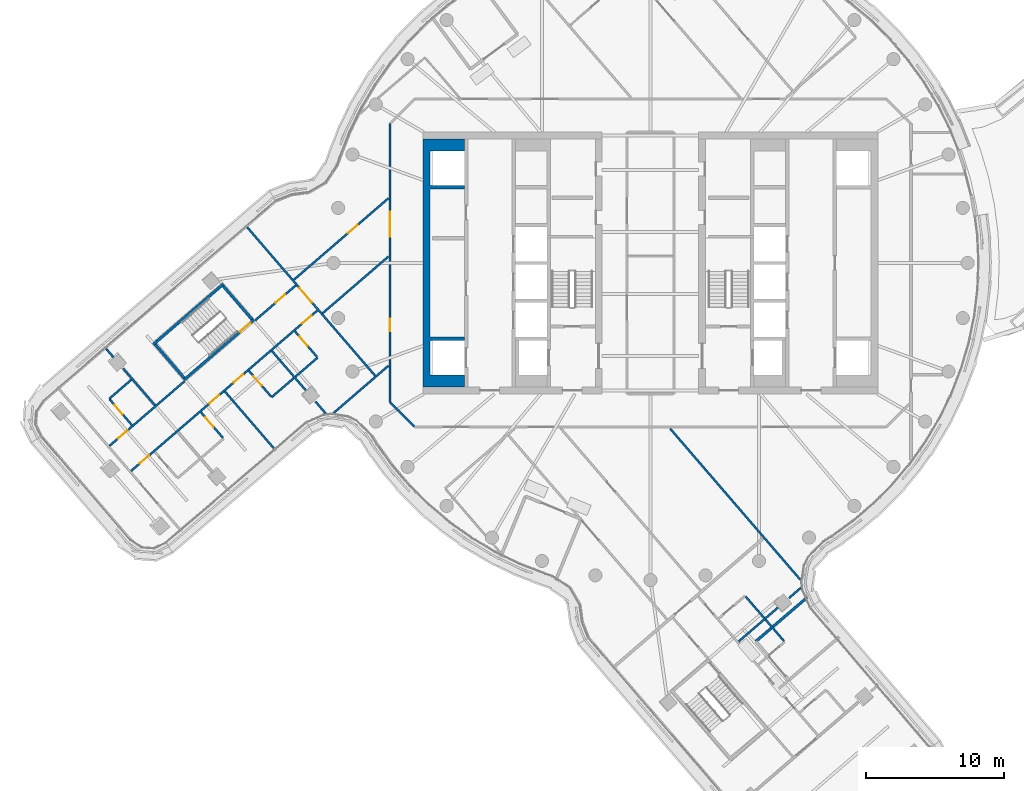
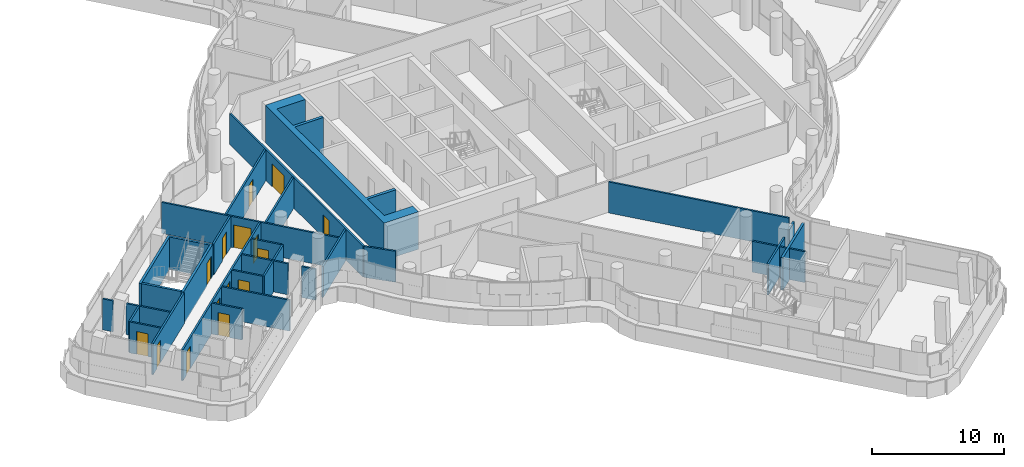
# One storey, part 22 of 34: 30 walls, 15 doors, 15 openings.
"""IFC4 building model written with IfcOpenShell, lengths in metres."""

from ifc_helpers import new_model, si_unit, direction, frame, frame_2d, origin, place, context, subcontext, project, spatial, polyline, rectangle, outline, extrude, material, layer, layer_set, type_object, element, fill, save


model = new_model("IFC4")

# Units and contexts
model_context = context("Model", 3, precision=1e-05, world=origin(), true_north=direction((0.0, 1.0)))
body_context = subcontext(model_context, "Body", "Model", "MODEL_VIEW")
ifc_project = project(units=[si_unit("LENGTHUNIT", "METRE"), si_unit("AREAUNIT", "SQUARE_METRE"), si_unit("VOLUMEUNIT", "CUBIC_METRE"), si_unit("PLANEANGLEUNIT", "RADIAN"), si_unit("MASSUNIT", "GRAM", prefix="KILO")], contexts=[model_context])

# Site, building, storey
site_placement = place(None, origin())
site = spatial("IfcSite", under=ifc_project, at=site_placement, CompositionType="ELEMENT")
building_placement = place(site_placement, origin())
building = spatial("IfcBuilding", under=site, at=building_placement, Name="Tamarind Cross Interchange Tower", CompositionType="ELEMENT")
storey_placement = place(building_placement, frame((0.0, 0.0, 182.5)))
storey = spatial("IfcBuildingStorey", under=building, at=storey_placement, Name="L45", CompositionType="ELEMENT", Elevation=182.5)

# Walls
ifc_material_1 = material(Name="Concrete C40", Category="concrete")
ifc_layer_1 = layer(ifc_material_1, 0.199951171875)
ifc_layer_set_1 = layer_set([ifc_layer_1], Name="Concrete C40")
wall_type_1 = type_object("IfcWallType", Name="Balcony and garden door wall", PredefinedType="SOLIDWALL", material=ifc_layer_set_1)
wall_1_placement = place(storey_placement, frame((7.646240234375, -27.43701171875, 0.0), z_axis=(0.0, 0.0, 1.0), x_axis=(0.759635869727, 0.650348633752, 0.0)))
element("IfcWall", 1, at=wall_1_placement, inside=storey, type_object=wall_type_1, Name="EXW-L45-WG-L45-SNa-R1", PredefinedType="SOLIDWALL", context=body_context, shape_type="SweptSolid", body=[
    extrude(rectangle(XDim=4.90576171875, YDim=0.199951171875, at=frame_2d((2.452880859375, 0.0))), origin(), (0.0, 0.0, 1.0), 3.013916015625),
])
ifc_material_2 = material(Name="Concrete C55", Category="concrete")
ifc_layer_2 = layer(ifc_material_2, 0.5)
ifc_layer_set_2 = layer_set([ifc_layer_2], Name="Concrete C55")
wall_type_2 = type_object("IfcWallType", Name="Core wall 500 mm Concrete C55", PredefinedType="SHEAR", material=ifc_layer_set_2)
wall_2_placement = place(storey_placement, origin())
element("IfcWall", 2, at=wall_2_placement, inside=storey, type_object=wall_type_2, Name="Core wall CWL-L45-W-A", PredefinedType="SHEAR", context=body_context, shape_type="SweptSolid", body=[
    extrude(outline(polyline([(-13.5, -8.125), (-16.0, -8.125), (-16.0, -5.625), (-13.5, -5.625), (-13.5, -5.375), (-16.0, -5.375), (-16.0, 5.375), (-13.5, 5.375), (-13.5, 5.625), (-16.0, 5.625), (-16.0, 8.125), (-13.5, 8.125), (-13.5, 9.0), (-16.0, 9.0), (-16.5, 9.0), (-16.5, -9.0), (-16.0, -9.0), (-13.5, -9.0), (-13.5, -8.125)])), origin(), (0.0, 0.0, 1.0), 3.4599609375),
])
ifc_material_3 = material(Name="Gypsum board partition on steel studs", Category="steel")
ifc_layer_3 = layer(ifc_material_3, 0.14990234375)
ifc_layer_set_3 = layer_set([ifc_layer_3], Name="Gypsum board partition on steel studs")
wall_type_3 = type_object("IfcWallType", Name="Partition 150 mm EI 120", PredefinedType="PARTITIONING", material=ifc_layer_set_3)
wall_3_placement = place(storey_placement, frame((-39.47900390625, -6.217041015625, 0.0), z_axis=(0.0, 0.0, 1.0), x_axis=(0.652651234918, -0.757658475541, 0.0)))
element("IfcWall", 3, at=wall_3_placement, inside=storey, type_object=wall_type_3, Name="Partition L45-002", PredefinedType="PARTITIONING", context=body_context, shape_type="SweptSolid", body=[
    extrude(rectangle(XDim=0.82080078125, YDim=0.14990234375, at=frame_2d((0.410400390625, 0.0))), origin(), (0.0, 0.0, 1.0), 2.864013671875),
])
wall_4_placement = place(storey_placement, frame((-38.247802734375, -7.64599609375, 0.0), z_axis=(0.0, 0.0, 1.0), x_axis=(0.652741368874, -0.757580824309, 0.0)))
element("IfcWall", 4, at=wall_4_placement, inside=storey, type_object=wall_type_3, Name="Partition L45-003", PredefinedType="PARTITIONING", context=body_context, shape_type="SweptSolid", body=[
    extrude(rectangle(XDim=3.53271484375, YDim=0.14990234375, at=frame_2d((1.766357421875, 0.0))), origin(), (0.0, 0.0, 1.0), 2.864013671875),
])

# Wall, opening, door
wall_5_placement = place(storey_placement, frame((-39.226806640625, -9.87939453125, 0.0), z_axis=(0.0, 0.0, 1.0), x_axis=(0.652686423647, -0.757628162351, 0.0)))
wall_5 = element("IfcWall", 5, at=wall_5_placement, inside=storey, type_object=wall_type_3, Name="Partition L45-006", PredefinedType="PARTITIONING", context=body_context, shape_type="SweptSolid", body=[
    extrude(rectangle(XDim=2.47998046875, YDim=0.14990234375, at=frame_2d((1.239990234375, 0.0))), origin(), (0.0, 0.0, 1.0), 2.864013671875),
])
opening_1_placement = place(wall_5_placement, frame((0.56005859375, 0.0, 0.0)))
opening_1 = element("IfcOpeningElement", 6, at=opening_1_placement, cuts=wall_5, Name="Opening D02", PredefinedType="OPENING", context=body_context, shape_type="SweptSolid", body=[
    extrude(rectangle(XDim=0.89990234375, YDim=2.10009765625, at=frame_2d((0.449951171875, 1.050048828125))), frame((0.0, 0.0849609375, 0.0), z_axis=(0.0, -1.0, 0.0), x_axis=(1.0, 0.0, 0.0)), (0.0, 0.0, 1.0), 0.169921875),
])
ifc_material_4 = material(Name="Fire-resisting door set")
door_type_1 = type_object("IfcDoorType", Name="Interior door 900 x 2100 FD60S", OperationType="SINGLE_SWING_LEFT", PredefinedType="DOOR", material=ifc_material_4)
door_1_placement = place(opening_1_placement, origin())
door_1 = element("IfcDoor", 7, at=door_1_placement, inside=storey, type_object=door_type_1, Name="Door D02", OperationType="SINGLE_SWING_RIGHT", OverallHeight=2.10009765625, OverallWidth=0.89990234375, PredefinedType="DOOR", context=body_context, shape_type="SweptSolid", body=[
    extrude(rectangle(XDim=0.89990234375, YDim=2.10009765625, at=frame_2d((0.449951171875, 1.050048828125))), frame((0.0, 0.02490234375, 0.0), z_axis=(0.0, -1.0, 0.0), x_axis=(1.0, 0.0, 0.0)), (0.0, 0.0, 1.0), 0.050048828125),
])
fill(opening_1, door_1)

wall_6_placement = place(storey_placement, frame((-32.603759765625, -10.82568359375, 0.0), z_axis=(0.0, 0.0, 1.0), x_axis=(0.652688747073, -0.757626160745, 0.0)))
wall_6 = element("IfcWall", 8, at=wall_6_placement, inside=storey, type_object=wall_type_3, Name="Partition L45-008", PredefinedType="PARTITIONING", context=body_context, shape_type="SweptSolid", body=[
    extrude(rectangle(XDim=2.445068359375, YDim=0.14990234375, at=frame_2d((1.22265625, 0.0))), origin(), (0.0, 0.0, 1.0), 2.864013671875),
])
opening_2_placement = place(wall_6_placement, frame((0.52001953125, 0.0, 0.0)))
opening_2 = element("IfcOpeningElement", 9, at=opening_2_placement, cuts=wall_6, Name="Opening D04", PredefinedType="OPENING", context=body_context, shape_type="SweptSolid", body=[
    extrude(rectangle(XDim=0.89990234375, YDim=2.10009765625, at=frame_2d((0.449951171875, 1.050048828125))), frame((0.0, 0.0849609375, 0.0), z_axis=(0.0, -1.0, 0.0), x_axis=(1.0, 0.0, 0.0)), (0.0, 0.0, 1.0), 0.169921875),
])
door_2_placement = place(opening_2_placement, frame((0.89990234375, 0.0, 0.0), z_axis=(0.0, 0.0, 1.0), x_axis=(-1.0, 0.0, 0.0)))
door_2 = element("IfcDoor", 10, at=door_2_placement, inside=storey, type_object=door_type_1, Name="Door D04", OperationType="SINGLE_SWING_LEFT", OverallHeight=2.10009765625, OverallWidth=0.89990234375, PredefinedType="DOOR", context=body_context, shape_type="SweptSolid", body=[
    extrude(rectangle(XDim=0.89990234375, YDim=2.10009765625, at=frame_2d((0.449951171875, 1.050048828125))), frame((0.0, 0.02490234375, 0.0), z_axis=(0.0, -1.0, 0.0), x_axis=(1.0, 0.0, 0.0)), (0.0, 0.0, 1.0), 0.050048828125),
])
fill(opening_2, door_2)

# Wall
wall_7_placement = place(storey_placement, frame((-30.86181640625, -9.32470703125, 0.0), z_axis=(0.0, 0.0, 1.0), x_axis=(0.652740266832, -0.757581773841, 0.0)))
element("IfcWall", 11, at=wall_7_placement, inside=storey, type_object=wall_type_3, Name="Partition L45-009", PredefinedType="PARTITIONING", context=body_context, shape_type="SweptSolid", body=[
    extrude(rectangle(XDim=5.451416015625, YDim=0.14990234375, at=frame_2d((2.7255859375, 0.0))), origin(), (0.0, 0.0, 1.0), 2.864013671875),
])

# Wall, opening, door
wall_8_placement = place(storey_placement, frame((-29.251220703125, 2.594970703125, 0.0), z_axis=(0.0, 0.0, 1.0), x_axis=(0.652713725704, -0.757604641141, 0.0)))
wall_8 = element("IfcWall", 12, at=wall_8_placement, inside=storey, type_object=wall_type_3, Name="Partition L45-010", PredefinedType="PARTITIONING", context=body_context, shape_type="SweptSolid", body=[
    extrude(rectangle(XDim=14.218994140625, YDim=0.14990234375, at=frame_2d((7.109375, 0.0))), origin(), (0.0, 0.0, 1.0), 2.864013671875),
])
opening_3_placement = place(wall_8_placement, frame((5.798828125, 0.0, 0.0)))
opening_3 = element("IfcOpeningElement", 13, at=opening_3_placement, cuts=wall_8, Name="Opening D05", PredefinedType="OPENING", context=body_context, shape_type="SweptSolid", body=[
    extrude(rectangle(XDim=1.39990234375, YDim=2.10009765625, at=frame_2d((0.699951171875, 1.050048828125))), frame((0.0, 0.0849609375, 0.0), z_axis=(0.0, -1.0, 0.0), x_axis=(1.0, 0.0, 0.0)), (0.0, 0.0, 1.0), 0.169921875),
])
door_type_2 = type_object("IfcDoorType", Name="Interior door 1400 x 2100 FD60S", OperationType="DOUBLE_DOOR_SINGLE_SWING", PredefinedType="DOOR", material=ifc_material_4)
door_3_placement = place(opening_3_placement, origin())
door_3 = element("IfcDoor", 14, at=door_3_placement, inside=storey, type_object=door_type_2, Name="Door D05", OperationType="DOUBLE_DOOR_SINGLE_SWING", OverallHeight=2.10009765625, OverallWidth=1.39990234375, PredefinedType="DOOR", context=body_context, shape_type="SweptSolid", body=[
    extrude(rectangle(XDim=1.39990234375, YDim=2.10009765625, at=frame_2d((0.699951171875, 1.050048828125))), frame((0.0, 0.02490234375, 0.0), z_axis=(0.0, -1.0, 0.0), x_axis=(1.0, 0.0, 0.0)), (0.0, 0.0, 1.0), 0.050048828125),
])
fill(opening_3, door_3)

wall_9_placement = place(storey_placement, frame((-29.118896484375, -7.823486328125, 0.0), z_axis=(0.0, 0.0, 1.0), x_axis=(0.652888980145, -0.757453615481, 0.0)))
wall_9 = element("IfcWall", 15, at=wall_9_placement, inside=storey, type_object=wall_type_3, Name="Partition L45-011", PredefinedType="PARTITIONING", context=body_context, shape_type="SweptSolid", body=[
    extrude(rectangle(XDim=2.4794921875, YDim=0.14990234375, at=frame_2d((1.23974609375, 0.0))), origin(), (0.0, 0.0, 1.0), 2.864013671875),
])
opening_4_placement = place(wall_9_placement, frame((0.52001953125, 0.0, 0.0)))
opening_4 = element("IfcOpeningElement", 16, at=opening_4_placement, cuts=wall_9, Name="Opening D06", PredefinedType="OPENING", context=body_context, shape_type="SweptSolid", body=[
    extrude(rectangle(XDim=0.89990234375, YDim=2.10009765625, at=frame_2d((0.449951171875, 1.050048828125))), frame((0.0, 0.0849609375, 0.0), z_axis=(0.0, -1.0, 0.0), x_axis=(1.0, 0.0, 0.0)), (0.0, 0.0, 1.0), 0.169921875),
])
door_4_placement = place(opening_4_placement, origin())
door_4 = element("IfcDoor", 17, at=door_4_placement, inside=storey, type_object=door_type_1, Name="Door D06", OperationType="SINGLE_SWING_RIGHT", OverallHeight=2.10009765625, OverallWidth=0.89990234375, PredefinedType="DOOR", context=body_context, shape_type="SweptSolid", body=[
    extrude(rectangle(XDim=0.89990234375, YDim=2.10009765625, at=frame_2d((0.449951171875, 1.050048828125))), frame((0.0, 0.02490234375, 0.0), z_axis=(0.0, -1.0, 0.0), x_axis=(1.0, 0.0, 0.0)), (0.0, 0.0, 1.0), 0.050048828125),
])
fill(opening_4, door_4)

# Walls
wall_10_placement = place(storey_placement, frame((-27.452880859375, -6.3876953125, 0.0), z_axis=(0.0, 0.0, 1.0), x_axis=(0.652892175674, -0.757450861075, 0.0)))
element("IfcWall", 18, at=wall_10_placement, inside=storey, type_object=wall_type_3, Name="Partition L45-012", PredefinedType="PARTITIONING", context=body_context, shape_type="SweptSolid", body=[
    extrude(rectangle(XDim=3.766357421875, YDim=0.14990234375, at=frame_2d((1.88330078125, 0.0))), origin(), (0.0, 0.0, 1.0), 2.864013671875),
])
wall_11_placement = place(storey_placement, frame((-24.298583984375, -10.047607421875, 0.0), z_axis=(0.0, 0.0, 1.0), x_axis=(0.652995188074, -0.75736205632, 0.0)))
element("IfcWall", 19, at=wall_11_placement, inside=storey, type_object=wall_type_3, Name="Partition L45-013", PredefinedType="PARTITIONING", context=body_context, shape_type="SweptSolid", body=[
    extrude(rectangle(XDim=1.1298828125, YDim=0.14990234375, at=frame_2d((0.56494140625, 0.0))), origin(), (0.0, 0.0, 1.0), 2.864013671875),
])

# Wall, opening, door
wall_12_placement = place(storey_placement, frame((-25.785888671875, -4.95166015625, 0.0), z_axis=(0.0, 0.0, 1.0), x_axis=(0.652886276294, -0.757455946063, 0.0)))
wall_12 = element("IfcWall", 20, at=wall_12_placement, inside=storey, type_object=wall_type_3, Name="Partition L45-014", PredefinedType="PARTITIONING", context=body_context, shape_type="SweptSolid", body=[
    extrude(rectangle(XDim=2.4443359375, YDim=0.14990234375, at=frame_2d((1.22216796875, 0.0))), origin(), (0.0, 0.0, 1.0), 2.864013671875),
])
opening_5_placement = place(wall_12_placement, frame((0.52001953125, 0.0, 0.0)))
opening_5 = element("IfcOpeningElement", 21, at=opening_5_placement, cuts=wall_12, Name="Opening D07", PredefinedType="OPENING", context=body_context, shape_type="SweptSolid", body=[
    extrude(rectangle(XDim=0.89990234375, YDim=2.10009765625, at=frame_2d((0.449951171875, 1.050048828125))), frame((0.0, 0.0849609375, 0.0), z_axis=(0.0, -1.0, 0.0), x_axis=(1.0, 0.0, 0.0)), (0.0, 0.0, 1.0), 0.169921875),
])
door_5_placement = place(opening_5_placement, frame((0.89990234375, 0.0, 0.0), z_axis=(0.0, 0.0, 1.0), x_axis=(-1.0, 0.0, 0.0)))
door_5 = element("IfcDoor", 22, at=door_5_placement, inside=storey, type_object=door_type_1, Name="Door D07", OperationType="SINGLE_SWING_LEFT", OverallHeight=2.10009765625, OverallWidth=0.89990234375, PredefinedType="DOOR", context=body_context, shape_type="SweptSolid", body=[
    extrude(rectangle(XDim=0.89990234375, YDim=2.10009765625, at=frame_2d((0.449951171875, 1.050048828125))), frame((0.0, 0.02490234375, 0.0), z_axis=(0.0, -1.0, 0.0), x_axis=(1.0, 0.0, 0.0)), (0.0, 0.0, 1.0), 0.050048828125),
])
fill(opening_5, door_5)

# Walls
wall_13_placement = place(storey_placement, frame((1.42138671875, -12.006103515625, 0.0), z_axis=(0.0, 0.0, 1.0), x_axis=(0.652713345428, -0.757604968767, 0.0)))
element("IfcWall", 23, at=wall_13_placement, inside=storey, type_object=wall_type_3, Name="Partition L45-032", PredefinedType="PARTITIONING", context=body_context, shape_type="SweptSolid", body=[
    extrude(rectangle(XDim=14.47265625, YDim=0.14990234375, at=frame_2d((7.236328125, 0.0))), origin(), (0.0, 0.0, 1.0), 2.864013671875),
])
wall_14_placement = place(storey_placement, frame((6.908935546875, -24.19775390625, 0.0), z_axis=(0.0, 0.0, 1.0), x_axis=(0.652677065628, -0.757636224057, 0.0)))
element("IfcWall", 24, at=wall_14_placement, inside=storey, type_object=wall_type_3, Name="Partition L45-036", PredefinedType="PARTITIONING", context=body_context, shape_type="SweptSolid", body=[
    extrude(rectangle(XDim=4.249755859375, YDim=0.14990234375, at=frame_2d((2.125, 0.0))), origin(), (0.0, 0.0, 1.0), 2.864013671875),
])
wall_15_placement = place(storey_placement, frame((-18.87158203125, -10.12841796875, 0.0), z_axis=(0.0, 0.0, 1.0), x_axis=(0.707106781187, -0.707106781187, 0.0)))
element("IfcWall", 25, at=wall_15_placement, inside=storey, type_object=wall_type_3, Name="Partition L45-040", PredefinedType="PARTITIONING", context=body_context, shape_type="SweptSolid", body=[
    extrude(rectangle(XDim=2.465087890625, YDim=0.14990234375, at=frame_2d((1.232421875, 0.0))), origin(), (0.0, 0.0, 1.0), 2.864013671875),
])

# Wall, opening, door
wall_16_placement = place(storey_placement, frame((-39.23828125, -13.267822265625, 0.0), z_axis=(0.0, 0.0, 1.0), x_axis=(0.757588514566, 0.652732443346, 0.0)))
wall_16 = element("IfcWall", 26, at=wall_16_placement, inside=storey, type_object=wall_type_3, Name="Partition L45-050", PredefinedType="PARTITIONING", context=body_context, shape_type="SweptSolid", body=[
    extrude(rectangle(XDim=7.1806640625, YDim=0.14990234375, at=frame_2d((3.59033203125, 0.0))), origin(), (0.0, 0.0, 1.0), 2.864013671875),
])
opening_6_placement = place(wall_16_placement, frame((0.820068359375, 0.0, 0.0)))
opening_6 = element("IfcOpeningElement", 27, at=opening_6_placement, cuts=wall_16, Name="Opening D29", PredefinedType="OPENING", context=body_context, shape_type="SweptSolid", body=[
    extrude(rectangle(XDim=0.89990234375, YDim=2.10009765625, at=frame_2d((0.449951171875, 1.050048828125))), frame((0.0, 0.0849609375, 0.0), z_axis=(0.0, -1.0, 0.0), x_axis=(1.0, 0.0, 0.0)), (0.0, 0.0, 1.0), 0.169921875),
])
door_6_placement = place(opening_6_placement, origin())
door_6 = element("IfcDoor", 28, at=door_6_placement, inside=storey, type_object=door_type_1, Name="Door D29", OperationType="SINGLE_SWING_RIGHT", OverallHeight=2.10009765625, OverallWidth=0.89990234375, PredefinedType="DOOR", context=body_context, shape_type="SweptSolid", body=[
    extrude(rectangle(XDim=0.89990234375, YDim=2.10009765625, at=frame_2d((0.449951171875, 1.050048828125))), frame((0.0, 0.02490234375, 0.0), z_axis=(0.0, -1.0, 0.0), x_axis=(1.0, 0.0, 0.0)), (0.0, 0.0, 1.0), 0.050048828125),
])
fill(opening_6, door_6)

wall_17_placement = place(storey_placement, frame((-28.66259765625, -4.156005859375, 0.0), z_axis=(0.0, 0.0, 1.0), x_axis=(0.757628792985, 0.652685691615, 0.0)))
wall_17 = element("IfcWall", 29, at=wall_17_placement, inside=storey, type_object=wall_type_3, Name="Partition L45-051", PredefinedType="PARTITIONING", context=body_context, shape_type="SweptSolid", body=[
    extrude(rectangle(XDim=3.88037109375, YDim=0.14990234375, at=frame_2d((1.940185546875, 0.0))), origin(), (0.0, 0.0, 1.0), 2.864013671875),
])
opening_7_placement = place(wall_17_placement, frame((1.949951171875, 0.0, 0.0)))
opening_7 = element("IfcOpeningElement", 30, at=opening_7_placement, cuts=wall_17, Name="Opening D30", PredefinedType="OPENING", context=body_context, shape_type="SweptSolid", body=[
    extrude(rectangle(XDim=0.89990234375, YDim=2.10009765625, at=frame_2d((0.449951171875, 1.050048828125))), frame((0.0, 0.0849609375, 0.0), z_axis=(0.0, -1.0, 0.0), x_axis=(1.0, 0.0, 0.0)), (0.0, 0.0, 1.0), 0.169921875),
])
door_7_placement = place(opening_7_placement, origin())
door_7 = element("IfcDoor", 31, at=door_7_placement, inside=storey, type_object=door_type_1, Name="Door D30", OperationType="SINGLE_SWING_LEFT", OverallHeight=2.10009765625, OverallWidth=0.89990234375, PredefinedType="DOOR", context=body_context, shape_type="SweptSolid", body=[
    extrude(rectangle(XDim=0.89990234375, YDim=2.10009765625, at=frame_2d((0.449951171875, 1.050048828125))), frame((0.0, 0.02490234375, 0.0), z_axis=(0.0, -1.0, 0.0), x_axis=(1.0, 0.0, 0.0)), (0.0, 0.0, 1.0), 0.050048828125),
])
fill(opening_7, door_7)

# Wall
wall_18_placement = place(storey_placement, frame((-39.2529296875, -9.84912109375, 0.0), z_axis=(0.0, 0.0, 1.0), x_axis=(0.757358886991, 0.652998863932, 0.0)))
element("IfcWall", 32, at=wall_18_placement, inside=storey, type_object=wall_type_3, Name="Partition L45-052", PredefinedType="PARTITIONING", context=body_context, shape_type="SweptSolid", body=[
    extrude(rectangle(XDim=2.119384765625, YDim=0.14990234375, at=frame_2d((1.0595703125, 0.0))), origin(), (0.0, 0.0, 1.0), 2.864013671875),
])

# Wall, openings, doors
wall_19_placement = place(storey_placement, frame((-37.67138671875, -15.085693359375, 0.0), z_axis=(0.0, 0.0, 1.0), x_axis=(0.757564439781, 0.652760384505, 0.0)))
wall_19 = element("IfcWall", 33, at=wall_19_placement, inside=storey, type_object=wall_type_3, Name="Partition L45-053", PredefinedType="PARTITIONING", context=body_context, shape_type="SweptSolid", body=[
    extrude(rectangle(XDim=17.83935546875, YDim=0.14990234375, at=frame_2d((8.919677734375, 0.0))), origin(), (0.0, 0.0, 1.0), 2.864013671875),
])
opening_8_placement = place(wall_19_placement, frame((16.369384765625, 0.0, 0.0)))
opening_8 = element("IfcOpeningElement", 34, at=opening_8_placement, cuts=wall_19, Name="Opening D31", PredefinedType="OPENING", context=body_context, shape_type="SweptSolid", body=[
    extrude(rectangle(XDim=0.89990234375, YDim=2.10009765625, at=frame_2d((0.449951171875, 1.050048828125))), frame((0.0, 0.0849609375, 0.0), z_axis=(0.0, -1.0, 0.0), x_axis=(1.0, 0.0, 0.0)), (0.0, 0.0, 1.0), 0.169921875),
])
opening_9_placement = place(wall_19_placement, frame((9.8193359375, 0.0, 0.0)))
opening_9 = element("IfcOpeningElement", 35, at=opening_9_placement, cuts=wall_19, Name="Opening D32", PredefinedType="OPENING", context=body_context, shape_type="SweptSolid", body=[
    extrude(rectangle(XDim=0.89990234375, YDim=2.10009765625, at=frame_2d((0.449951171875, 1.050048828125))), frame((0.0, 0.0849609375, 0.0), z_axis=(0.0, -1.0, 0.0), x_axis=(1.0, 0.0, 0.0)), (0.0, 0.0, 1.0), 0.169921875),
])
opening_10_placement = place(wall_19_placement, frame((7.52001953125, 0.0, 0.0)))
opening_10 = element("IfcOpeningElement", 36, at=opening_10_placement, cuts=wall_19, Name="Opening D33", PredefinedType="OPENING", context=body_context, shape_type="SweptSolid", body=[
    extrude(rectangle(XDim=0.89990234375, YDim=2.10009765625, at=frame_2d((0.449951171875, 1.050048828125))), frame((0.0, 0.0849609375, 0.0), z_axis=(0.0, -1.0, 0.0), x_axis=(1.0, 0.0, 0.0)), (0.0, 0.0, 1.0), 0.169921875),
])
opening_11_placement = place(wall_19_placement, frame((0.820068359375, 0.0, 0.0)))
opening_11 = element("IfcOpeningElement", 37, at=opening_11_placement, cuts=wall_19, Name="Opening D34", PredefinedType="OPENING", context=body_context, shape_type="SweptSolid", body=[
    extrude(rectangle(XDim=0.89990234375, YDim=2.10009765625, at=frame_2d((0.449951171875, 1.050048828125))), frame((0.0, 0.0849609375, 0.0), z_axis=(0.0, -1.0, 0.0), x_axis=(1.0, 0.0, 0.0)), (0.0, 0.0, 1.0), 0.169921875),
])
door_8_placement = place(opening_8_placement, frame((0.89990234375, 0.0, 0.0), z_axis=(0.0, 0.0, 1.0), x_axis=(-1.0, 0.0, 0.0)))
door_8 = element("IfcDoor", 38, at=door_8_placement, inside=storey, type_object=door_type_1, Name="Door D31", OperationType="SINGLE_SWING_RIGHT", OverallHeight=2.10009765625, OverallWidth=0.89990234375, PredefinedType="DOOR", context=body_context, shape_type="SweptSolid", body=[
    extrude(rectangle(XDim=0.89990234375, YDim=2.10009765625, at=frame_2d((0.449951171875, 1.050048828125))), frame((0.0, 0.02490234375, 0.0), z_axis=(0.0, -1.0, 0.0), x_axis=(1.0, 0.0, 0.0)), (0.0, 0.0, 1.0), 0.050048828125),
])
fill(opening_8, door_8)
door_9_placement = place(opening_9_placement, frame((0.89990234375, 0.0, 0.0), z_axis=(0.0, 0.0, 1.0), x_axis=(-1.0, 0.0, 0.0)))
door_9 = element("IfcDoor", 39, at=door_9_placement, inside=storey, type_object=door_type_1, Name="Door D32", OperationType="SINGLE_SWING_RIGHT", OverallHeight=2.10009765625, OverallWidth=0.89990234375, PredefinedType="DOOR", context=body_context, shape_type="SweptSolid", body=[
    extrude(rectangle(XDim=0.89990234375, YDim=2.10009765625, at=frame_2d((0.449951171875, 1.050048828125))), frame((0.0, 0.02490234375, 0.0), z_axis=(0.0, -1.0, 0.0), x_axis=(1.0, 0.0, 0.0)), (0.0, 0.0, 1.0), 0.050048828125),
])
fill(opening_9, door_9)
door_10_placement = place(opening_10_placement, frame((0.89990234375, 0.0, 0.0), z_axis=(0.0, 0.0, 1.0), x_axis=(-1.0, 0.0, 0.0)))
door_10 = element("IfcDoor", 40, at=door_10_placement, inside=storey, type_object=door_type_1, Name="Door D33", OperationType="SINGLE_SWING_LEFT", OverallHeight=2.10009765625, OverallWidth=0.89990234375, PredefinedType="DOOR", context=body_context, shape_type="SweptSolid", body=[
    extrude(rectangle(XDim=0.89990234375, YDim=2.10009765625, at=frame_2d((0.449951171875, 1.050048828125))), frame((0.0, 0.02490234375, 0.0), z_axis=(0.0, -1.0, 0.0), x_axis=(1.0, 0.0, 0.0)), (0.0, 0.0, 1.0), 0.050048828125),
])
fill(opening_10, door_10)
door_11_placement = place(opening_11_placement, frame((0.89990234375, 0.0, 0.0), z_axis=(0.0, 0.0, 1.0), x_axis=(-1.0, 0.0, 0.0)))
door_11 = element("IfcDoor", 41, at=door_11_placement, inside=storey, type_object=door_type_1, Name="Door D34", OperationType="SINGLE_SWING_LEFT", OverallHeight=2.10009765625, OverallWidth=0.89990234375, PredefinedType="DOOR", context=body_context, shape_type="SweptSolid", body=[
    extrude(rectangle(XDim=0.89990234375, YDim=2.10009765625, at=frame_2d((0.449951171875, 1.050048828125))), frame((0.0, 0.02490234375, 0.0), z_axis=(0.0, -1.0, 0.0), x_axis=(1.0, 0.0, 0.0)), (0.0, 0.0, 1.0), 0.050048828125),
])
fill(opening_11, door_11)

# Wall
wall_20_placement = place(storey_placement, frame((-27.473388671875, -9.732421875, 0.0), z_axis=(0.0, 0.0, 1.0), x_axis=(0.757652172853, 0.652658551595, 0.0)))
element("IfcWall", 42, at=wall_20_placement, inside=storey, type_object=wall_type_3, Name="Partition L45-055", PredefinedType="PARTITIONING", context=body_context, shape_type="SweptSolid", body=[
    extrude(rectangle(XDim=4.3994140625, YDim=0.14990234375, at=frame_2d((2.19970703125, 0.0))), origin(), (0.0, 0.0, 1.0), 2.864013671875),
])

# Wall, opening, door
wall_21_placement = place(storey_placement, frame((-25.8623046875, -1.2158203125, 0.0), z_axis=(0.0, 0.0, 1.0), x_axis=(0.757576468923, 0.652746423762, 0.0)))
wall_21 = element("IfcWall", 43, at=wall_21_placement, inside=storey, type_object=wall_type_3, Name="Partition L45-056", PredefinedType="PARTITIONING", context=body_context, shape_type="SweptSolid", body=[
    extrude(rectangle(XDim=9.05029296875, YDim=0.14990234375, at=frame_2d((4.525146484375, 0.0))), origin(), (0.0, 0.0, 1.0), 2.864013671875),
])
opening_12_placement = place(wall_21_placement, frame((5.169921875, 0.0, 0.0)))
opening_12 = element("IfcOpeningElement", 44, at=opening_12_placement, cuts=wall_21, Name="Opening D35", PredefinedType="OPENING", context=body_context, shape_type="SweptSolid", body=[
    extrude(rectangle(XDim=0.89990234375, YDim=2.10009765625, at=frame_2d((0.449951171875, 1.050048828125))), frame((0.0, 0.0849609375, 0.0), z_axis=(0.0, -1.0, 0.0), x_axis=(1.0, 0.0, 0.0)), (0.0, 0.0, 1.0), 0.169921875),
])
door_12_placement = place(opening_12_placement, origin())
door_12 = element("IfcDoor", 45, at=door_12_placement, inside=storey, type_object=door_type_1, Name="Door D35", OperationType="SINGLE_SWING_LEFT", OverallHeight=2.10009765625, OverallWidth=0.89990234375, PredefinedType="DOOR", context=body_context, shape_type="SweptSolid", body=[
    extrude(rectangle(XDim=0.89990234375, YDim=2.10009765625, at=frame_2d((0.449951171875, 1.050048828125))), frame((0.0, 0.02490234375, 0.0), z_axis=(0.0, -1.0, 0.0), x_axis=(1.0, 0.0, 0.0)), (0.0, 0.0, 1.0), 0.050048828125),
])
fill(opening_12, door_12)

# Walls
wall_22_placement = place(storey_placement, frame((-23.7744140625, -3.640869140625, 0.0), z_axis=(0.0, 0.0, 1.0), x_axis=(0.757583902186, 0.65273779663, 0.0)))
element("IfcWall", 46, at=wall_22_placement, inside=storey, type_object=wall_type_3, Name="Partition L45-057", PredefinedType="PARTITIONING", context=body_context, shape_type="SweptSolid", body=[
    extrude(rectangle(XDim=6.294189453125, YDim=0.14990234375, at=frame_2d((3.14697265625, 0.0))), origin(), (0.0, 0.0, 1.0), 2.864013671875),
])
wall_23_placement = place(storey_placement, frame((-22.969970703125, -10.8681640625, 0.0), z_axis=(0.0, 0.0, 1.0), x_axis=(0.75753804944, 0.6527910107, 0.0)))
element("IfcWall", 47, at=wall_23_placement, inside=storey, type_object=wall_type_3, Name="Partition L45-058", PredefinedType="PARTITIONING", context=body_context, shape_type="SweptSolid", body=[
    extrude(rectangle(XDim=5.232666015625, YDim=0.14990234375, at=frame_2d((2.6162109375, 0.0))), origin(), (0.0, 0.0, 1.0), 2.864013671875),
])
wall_24_placement = place(storey_placement, frame((6.3876953125, -27.452880859375, 0.0), z_axis=(0.0, 0.0, 1.0), x_axis=(0.757450861075, 0.652892175674, 0.0)))
element("IfcWall", 48, at=wall_24_placement, inside=storey, type_object=wall_type_3, Name="Partition L45-083", PredefinedType="PARTITIONING", context=body_context, shape_type="SweptSolid", body=[
    extrude(rectangle(XDim=3.766357421875, YDim=0.14990234375, at=frame_2d((1.88330078125, 0.0))), origin(), (0.0, 0.0, 1.0), 2.864013671875),
])
wall_25_placement = place(storey_placement, frame((10.047607421875, -24.298583984375, 0.0), z_axis=(0.0, 0.0, 1.0), x_axis=(0.75736205632, 0.652995188074, 0.0)))
element("IfcWall", 49, at=wall_25_placement, inside=storey, type_object=wall_type_3, Name="Partition L45-084", PredefinedType="PARTITIONING", context=body_context, shape_type="SweptSolid", body=[
    extrude(rectangle(XDim=1.1298828125, YDim=0.14990234375, at=frame_2d((0.56494140625, 0.0))), origin(), (0.0, 0.0, 1.0), 2.864013671875),
])

# Wall, openings, doors
wall_26_placement = place(storey_placement, frame((-18.89990234375, -10.10009765625, 0.0), z_axis=(0.0, 0.0, 1.0), x_axis=(0.0, 1.0, 0.0)))
wall_26 = element("IfcWall", 50, at=wall_26_placement, inside=storey, type_object=wall_type_3, Name="Partition L45-091", PredefinedType="PARTITIONING", context=body_context, shape_type="SweptSolid", body=[
    extrude(rectangle(XDim=20.2001953125, YDim=0.14990234375, at=frame_2d((10.10009765625, 0.0))), origin(), (0.0, 0.0, 1.0), 2.864013671875),
])
opening_13_placement = place(wall_26_placement, frame((12.009033203125, 0.0, 0.0)))
opening_13 = element("IfcOpeningElement", 51, at=opening_13_placement, cuts=wall_26, Name="Opening D49", PredefinedType="OPENING", context=body_context, shape_type="SweptSolid", body=[
    extrude(rectangle(XDim=1.800048828125, YDim=2.10009765625, at=frame_2d((0.89990234375, 1.050048828125))), frame((0.0, 0.0849609375, 0.0), z_axis=(0.0, -1.0, 0.0), x_axis=(1.0, 0.0, 0.0)), (0.0, 0.0, 1.0), 0.169921875),
])
opening_14_placement = place(wall_26_placement, frame((5.138916015625, 0.0, 0.0)))
opening_14 = element("IfcOpeningElement", 52, at=opening_14_placement, cuts=wall_26, Name="Opening D50", PredefinedType="OPENING", context=body_context, shape_type="SweptSolid", body=[
    extrude(rectangle(XDim=0.89990234375, YDim=2.10009765625, at=frame_2d((0.449951171875, 1.050048828125))), frame((0.0, 0.0849609375, 0.0), z_axis=(0.0, -1.0, 0.0), x_axis=(1.0, 0.0, 0.0)), (0.0, 0.0, 1.0), 0.169921875),
])
door_type_3 = type_object("IfcDoorType", Name="Interior door 1800 x 2100 FD60S", OperationType="DOUBLE_DOOR_SINGLE_SWING", PredefinedType="DOOR", material=ifc_material_4)
door_13_placement = place(opening_13_placement, frame((1.800048828125, 0.0, 0.0), z_axis=(0.0, 0.0, 1.0), x_axis=(-1.0, 0.0, 0.0)))
door_13 = element("IfcDoor", 53, at=door_13_placement, inside=storey, type_object=door_type_3, Name="Door D49", OperationType="DOUBLE_DOOR_SINGLE_SWING", OverallHeight=2.10009765625, OverallWidth=1.800048828125, PredefinedType="DOOR", context=body_context, shape_type="SweptSolid", body=[
    extrude(rectangle(XDim=1.800048828125, YDim=2.10009765625, at=frame_2d((0.89990234375, 1.050048828125))), frame((0.0, 0.02490234375, 0.0), z_axis=(0.0, -1.0, 0.0), x_axis=(1.0, 0.0, 0.0)), (0.0, 0.0, 1.0), 0.050048828125),
])
fill(opening_13, door_13)
door_14_placement = place(opening_14_placement, origin())
door_14 = element("IfcDoor", 54, at=door_14_placement, inside=storey, type_object=door_type_1, Name="Door D50", OperationType="SINGLE_SWING_RIGHT", OverallHeight=2.10009765625, OverallWidth=0.89990234375, PredefinedType="DOOR", context=body_context, shape_type="SweptSolid", body=[
    extrude(rectangle(XDim=0.89990234375, YDim=2.10009765625, at=frame_2d((0.449951171875, 1.050048828125))), frame((0.0, 0.02490234375, 0.0), z_axis=(0.0, -1.0, 0.0), x_axis=(1.0, 0.0, 0.0)), (0.0, 0.0, 1.0), 0.050048828125),
])
fill(opening_14, door_14)

# Wall, opening, door
ifc_layer_4 = layer(ifc_material_1, 0.199951171875)
ifc_layer_set_4 = layer_set([ifc_layer_4], Name="Concrete C40")
wall_type_4 = type_object("IfcWallType", Name="Stair shaft wall 200 mm Concrete C40", PredefinedType="SHEAR", material=ifc_layer_set_4)
wall_27_placement = place(storey_placement, frame((-28.7578125, -4.1064453125, -0.139892578125), z_axis=(0.0, 0.0, 1.0), x_axis=(-0.757613125952, -0.652703877257, 0.0)))
wall_27 = element("IfcWall", 55, at=wall_27_placement, inside=storey, type_object=wall_type_4, Name="Core wall CWL-L45-ST5-H", PredefinedType="SHEAR", context=body_context, shape_type="SweptSolid", body=[
    extrude(rectangle(XDim=6.699951171875, YDim=0.199951171875, at=frame_2d((3.35009765625, 0.0))), origin(), (0.0, 0.0, 1.0), 3.00390625),
])
opening_15_placement = place(wall_27_placement, frame((0.35009765625, 0.0, 0.0)))
opening_15 = element("IfcOpeningElement", 56, at=opening_15_placement, cuts=wall_27, Name="Opening ST5L45", PredefinedType="OPENING", context=body_context, shape_type="SweptSolid", body=[
    extrude(rectangle(XDim=1.0, YDim=2.10009765625, at=frame_2d((0.5, 1.050048828125))), frame((0.0, 0.10986328125, 0.0), z_axis=(0.0, -1.0, 0.0), x_axis=(1.0, 0.0, 0.0)), (0.0, 0.0, 1.0), 0.219970703125),
])
ifc_material_5 = material(Name="Steel, fire-resisting", Category="steel")
door_type_4 = type_object("IfcDoorType", Name="Core fire door 1000 x 2100 FD90", OperationType="SINGLE_SWING_LEFT", PredefinedType="DOOR", material=ifc_material_5)
door_15_placement = place(opening_15_placement, origin())
door_15 = element("IfcDoor", 57, at=door_15_placement, inside=storey, type_object=door_type_4, Name="L45 stair door ST5", OperationType="SINGLE_SWING_LEFT", OverallHeight=2.10009765625, OverallWidth=1.0, PredefinedType="DOOR", context=body_context, shape_type="SweptSolid", body=[
    extrude(rectangle(XDim=1.0, YDim=2.10009765625, at=frame_2d((0.5, 1.050048828125))), frame((0.0, 0.02490234375, 0.0), z_axis=(0.0, -1.0, 0.0), x_axis=(1.0, 0.0, 0.0)), (0.0, 0.0, 1.0), 0.050048828125),
])
fill(opening_15, door_15)

# Walls
wall_28_placement = place(storey_placement, frame((-30.97705078125, -1.530517578125, -0.139892578125), z_axis=(0.0, 0.0, 1.0), x_axis=(-0.757595106879, -0.652724791955, 0.0)))
element("IfcWall", 58, at=wall_28_placement, inside=storey, type_object=wall_type_4, Name="Core wall CWL-L45-ST5-C", PredefinedType="SHEAR", context=body_context, shape_type="SweptSolid", body=[
    extrude(rectangle(XDim=6.699951171875, YDim=0.199951171875, at=frame_2d((3.35009765625, 0.0))), origin(), (0.0, 0.0, 1.0), 3.00390625),
])
wall_29_placement = place(storey_placement, frame((-30.987548828125, -1.671630859375, -0.139892578125), z_axis=(0.0, 0.0, 1.0), x_axis=(0.652749445371, -0.75757386542, 0.0)))
element("IfcWall", 59, at=wall_29_placement, inside=storey, type_object=wall_type_4, Name="Core wall CWL-L45-ST5-CE", PredefinedType="SHEAR", context=body_context, shape_type="SweptSolid", body=[
    extrude(rectangle(XDim=3.2001953125, YDim=0.199951171875, at=frame_2d((1.60009765625, 0.0))), origin(), (0.0, 0.0, 1.0), 3.00390625),
])
wall_30_placement = place(storey_placement, frame((0.0, 0.0, -0.139892578125)))
element("IfcWall", 60, at=wall_30_placement, inside=storey, type_object=wall_type_4, Name="Core wall CWL-L45-ST5-CF", PredefinedType="SHEAR", context=body_context, shape_type="SweptSolid", body=[
    extrude(outline(polyline([(-35.836181640625, -5.84912109375), (-35.98779296875, -5.9794921875), (-33.89892578125, -8.40380859375), (-33.747314453125, -8.273193359375), (-35.836181640625, -5.84912109375)])), origin(), (0.0, 0.0, 1.0), 3.00390625),
])

save(model, "model.ifc")
